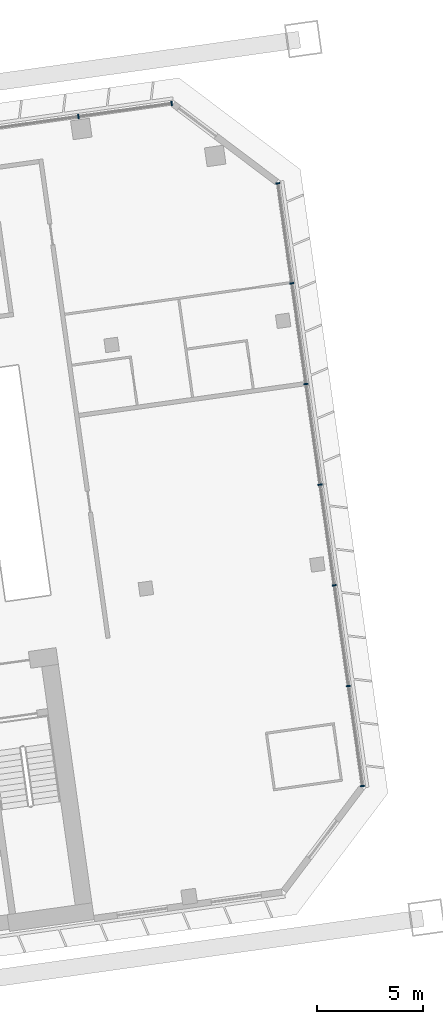
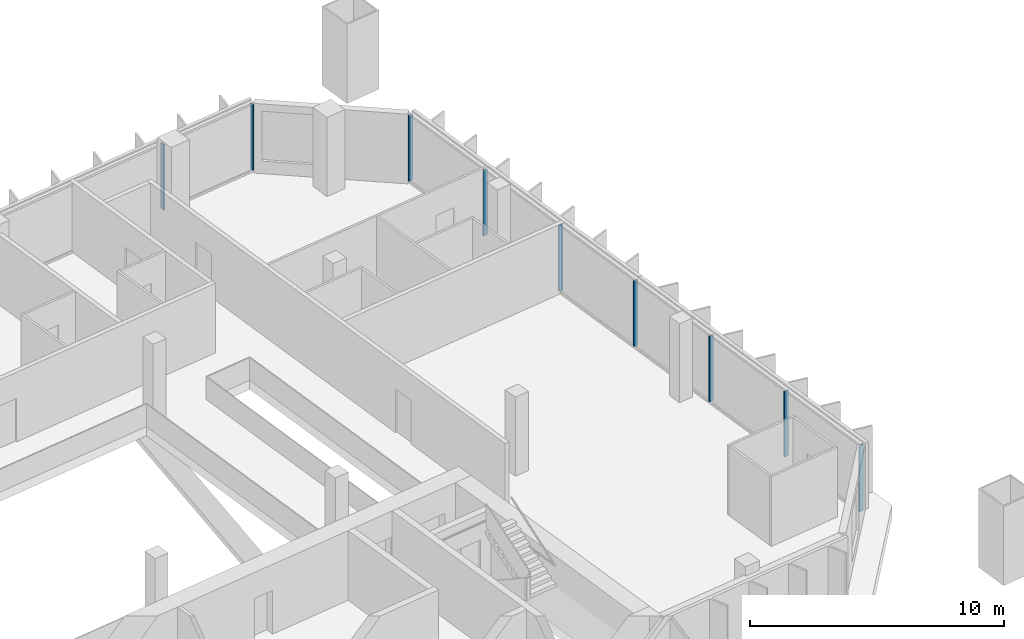
# One storey, part 27 of 41: 9 members, 2 elements without a shape of their own.
"""IFC4 building model written with IfcOpenShell, lengths in metres."""

from ifc_helpers import new_model, si_unit, direction, frame, origin, origin_2d, place, context, subcontext, project, spatial, rectangle, extrude, material, material_profile, profile_set, type_object, element, aggregate, save


model = new_model("IFC4")

# Units and contexts
model_context = context("Model", 3, precision=1e-05, world=origin(), true_north=direction((0.0, 1.0)))
body_context = subcontext(model_context, "Body", "Model", "MODEL_VIEW")
ifc_project = project(units=[si_unit("LENGTHUNIT", "METRE"), si_unit("AREAUNIT", "SQUARE_METRE"), si_unit("VOLUMEUNIT", "CUBIC_METRE"), si_unit("PLANEANGLEUNIT", "RADIAN"), si_unit("MASSUNIT", "GRAM", prefix="KILO")], contexts=[model_context])

# Site, building, storey
site_placement = place(None, origin())
site = spatial("IfcSite", under=ifc_project, at=site_placement, CompositionType="ELEMENT")
building_placement = place(site_placement, origin())
building = spatial("IfcBuilding", under=site, at=building_placement, Name="Mirante Cascada Hotel Towers", CompositionType="ELEMENT")
storey_placement = place(building_placement, frame((0.0, 0.0, 125.3)))
storey = spatial("IfcBuildingStorey", under=building, at=storey_placement, Name="L28", CompositionType="ELEMENT", Elevation=125.3)

# Curtain wall, members
ifc_material_1 = material(Name="Aluminium mullion and transom frame with clear laminated glass", Category="aluminium")
curtain_wall_type_1 = type_object("IfcCurtainWallType", Name="Ribbon curtain wall ECW1", PredefinedType="NOTDEFINED", material=ifc_material_1)
curtain_wall_1_placement = place(storey_placement, origin())
curtain_wall_1 = element("IfcCurtainWall", 1, at=curtain_wall_1_placement, inside=storey, type_object=curtain_wall_type_1, Name="Front ribbon wall T2 L28", PredefinedType="NOTDEFINED")
ifc_material_2 = material(Name="Anodised aluminium extrusion", Category="aluminium")
ifc_material_profile_1 = material_profile(ifc_material_2, rectangle(XDim=0.2, YDim=0.065, at=origin_2d()), Name="ECW1 MULLION 65x200")
ifc_profile_set_1 = profile_set([ifc_material_profile_1], Name="Anodised aluminium extrusion")
member_type_1 = type_object("IfcMemberType", Name="ECW1 mullion 65x200", PredefinedType="MULLION", material=ifc_profile_set_1)
member_1_placement = place(storey_placement, frame((94.126, 26.0476, 0.1), z_axis=(0.0, 0.0, 1.0), x_axis=(0.1391731, -0.9902681, 0.0)))
member_1 = element("IfcMember", 2, at=member_1_placement, type_object=member_type_1, Name="ECW1 mullion 1", PredefinedType="MULLION", context=body_context, shape_type="SweptSolid", body=[
    extrude(rectangle(XDim=0.2, YDim=0.065, at=origin_2d()), origin(), (0.0, 0.0, 1.0), 3.15),
])
member_2_placement = place(storey_placement, frame((89.7107, 25.427, 0.1), z_axis=(0.0, 0.0, 1.0), x_axis=(0.1391731, -0.9902681, 0.0)))
member_2 = element("IfcMember", 3, at=member_2_placement, type_object=member_type_1, Name="ECW1 mullion 2", PredefinedType="MULLION", context=body_context, shape_type="SweptSolid", body=[
    extrude(rectangle(XDim=0.2, YDim=0.065, at=origin_2d()), origin(), (0.0, 0.0, 1.0), 3.15),
])
aggregate(curtain_wall_1, [member_1, member_2])

ifc_material_3 = material(Name="Aluminium mullion and transom frame with clear laminated glass", Category="aluminium")
curtain_wall_type_2 = type_object("IfcCurtainWallType", Name="End ribbon curtain wall ECW2", PredefinedType="NOTDEFINED", material=ifc_material_3)
curtain_wall_2_placement = place(storey_placement, origin())
curtain_wall_2 = element("IfcCurtainWall", 4, at=curtain_wall_2_placement, inside=storey, type_object=curtain_wall_type_2, Name="Outer end wall T2 L28", PredefinedType="NOTDEFINED")
ifc_material_4 = material(Name="Anodised aluminium extrusion", Category="aluminium")
ifc_material_profile_2 = material_profile(ifc_material_4, rectangle(XDim=0.2, YDim=0.065, at=origin_2d()), Name="ECW2 MULLION 65x200")
ifc_profile_set_2 = profile_set([ifc_material_profile_2], Name="Anodised aluminium extrusion")
member_type_2 = type_object("IfcMemberType", Name="ECW2 mullion 65x200", PredefinedType="MULLION", material=ifc_profile_set_2)
member_3_placement = place(storey_placement, frame((103.1556, -6.2656, 0.1), z_axis=(0.0, 0.0, 1.0), x_axis=(-0.9902681, -0.1391731, 0.0)))
member_3 = element("IfcMember", 5, at=member_3_placement, type_object=member_type_2, Name="ECW2 mullion 1", PredefinedType="MULLION", context=body_context, shape_type="SweptSolid", body=[
    extrude(rectangle(XDim=0.2, YDim=0.065, at=origin_2d()), origin(), (0.0, 0.0, 1.0), 3.15),
])
member_4_placement = place(storey_placement, frame((102.4903, -1.532, 0.1), z_axis=(0.0, 0.0, 1.0), x_axis=(-0.9902681, -0.1391731, 0.0)))
member_4 = element("IfcMember", 6, at=member_4_placement, type_object=member_type_2, Name="ECW2 mullion 2", PredefinedType="MULLION", context=body_context, shape_type="SweptSolid", body=[
    extrude(rectangle(XDim=0.2, YDim=0.065, at=origin_2d()), origin(), (0.0, 0.0, 1.0), 3.15),
])
member_5_placement = place(storey_placement, frame((101.8205, 3.2338, 0.1), z_axis=(0.0, 0.0, 1.0), x_axis=(-0.9902681, -0.1391731, 0.0)))
member_5 = element("IfcMember", 7, at=member_5_placement, type_object=member_type_2, Name="ECW2 mullion 3", PredefinedType="MULLION", context=body_context, shape_type="SweptSolid", body=[
    extrude(rectangle(XDim=0.2, YDim=0.065, at=origin_2d()), origin(), (0.0, 0.0, 1.0), 3.15),
])
member_6_placement = place(storey_placement, frame((101.1508, 7.9996, 0.1), z_axis=(0.0, 0.0, 1.0), x_axis=(-0.9902681, -0.1391731, 0.0)))
member_6 = element("IfcMember", 8, at=member_6_placement, type_object=member_type_2, Name="ECW2 mullion 4", PredefinedType="MULLION", context=body_context, shape_type="SweptSolid", body=[
    extrude(rectangle(XDim=0.2, YDim=0.065, at=origin_2d()), origin(), (0.0, 0.0, 1.0), 3.15),
])
member_7_placement = place(storey_placement, frame((100.481, 12.7654, 0.1), z_axis=(0.0, 0.0, 1.0), x_axis=(-0.9902681, -0.1391731, 0.0)))
member_7 = element("IfcMember", 9, at=member_7_placement, type_object=member_type_2, Name="ECW2 mullion 5", PredefinedType="MULLION", context=body_context, shape_type="SweptSolid", body=[
    extrude(rectangle(XDim=0.2, YDim=0.065, at=origin_2d()), origin(), (0.0, 0.0, 1.0), 3.15),
])
member_8_placement = place(storey_placement, frame((99.8112, 17.5312, 0.1), z_axis=(0.0, 0.0, 1.0), x_axis=(-0.9902681, -0.1391731, 0.0)))
member_8 = element("IfcMember", 10, at=member_8_placement, type_object=member_type_2, Name="ECW2 mullion 6", PredefinedType="MULLION", context=body_context, shape_type="SweptSolid", body=[
    extrude(rectangle(XDim=0.2, YDim=0.065, at=origin_2d()), origin(), (0.0, 0.0, 1.0), 3.15),
])
member_9_placement = place(storey_placement, frame((99.1459, 22.2648, 0.1), z_axis=(0.0, 0.0, 1.0), x_axis=(-0.9902681, -0.1391731, 0.0)))
member_9 = element("IfcMember", 11, at=member_9_placement, type_object=member_type_2, Name="ECW2 mullion 7", PredefinedType="MULLION", context=body_context, shape_type="SweptSolid", body=[
    extrude(rectangle(XDim=0.2, YDim=0.065, at=origin_2d()), origin(), (0.0, 0.0, 1.0), 3.15),
])
aggregate(curtain_wall_2, [member_3, member_4, member_5, member_6, member_7, member_8, member_9])

save(model, "model.ifc")
